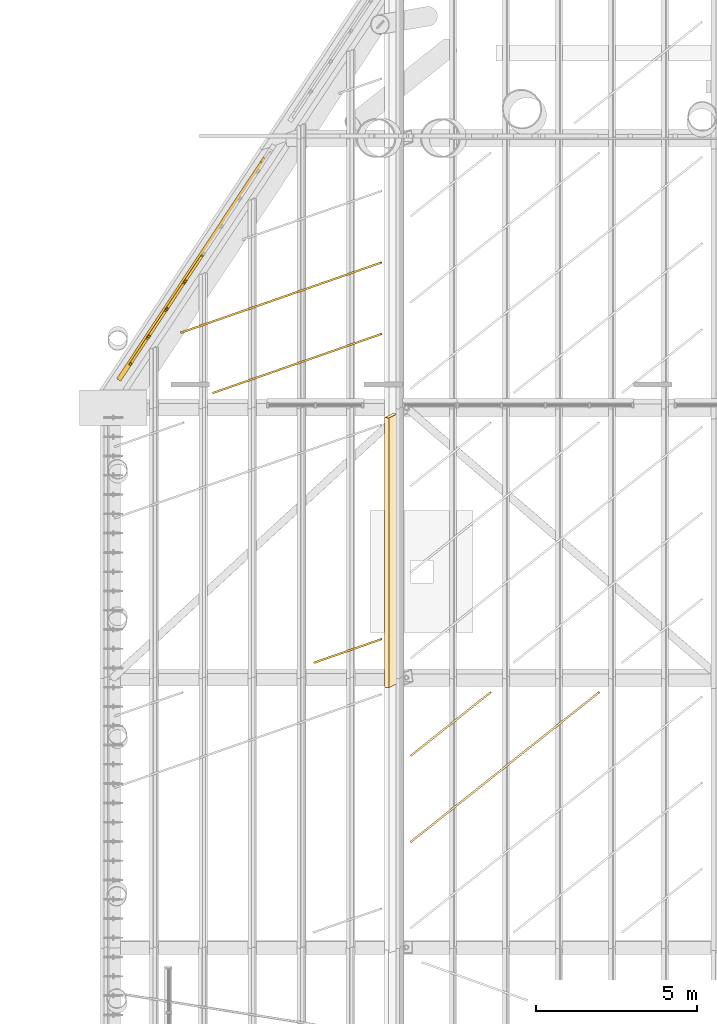
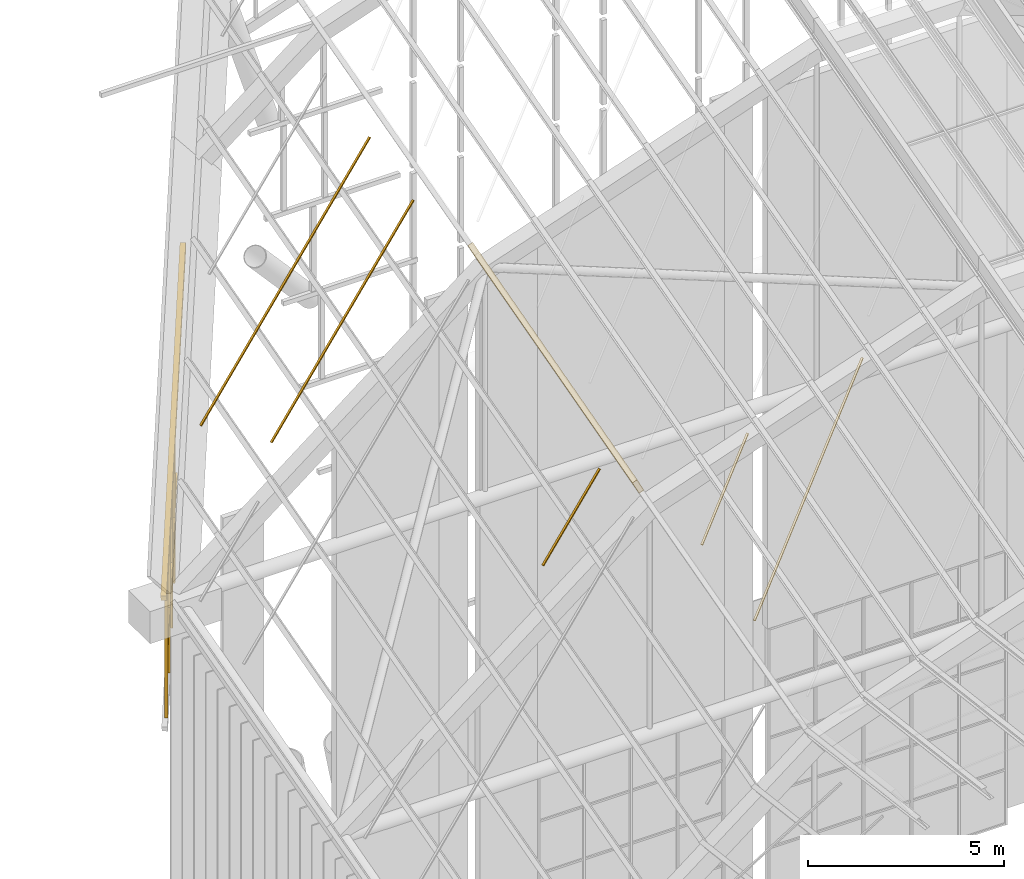
# One storey, part 110 of 126: 15 coverings.
"""IFC4 building model written with IfcOpenShell, lengths in metres."""

from ifc_helpers import new_model, si_unit, direction, frame, origin, origin_2d, place, context, subcontext, project, spatial, polyline, rectangle, outline, extrude, material, layer, layer_set, material_profile, profile_set, type_object, element, save


model = new_model("IFC4")

# Units and contexts
model_context = context("Model", 3, precision=1e-05, world=origin(), true_north=direction((0.0, 1.0)))
body_context = subcontext(model_context, "Body", "Model", "MODEL_VIEW")
ifc_project = project(units=[si_unit("LENGTHUNIT", "METRE"), si_unit("AREAUNIT", "SQUARE_METRE"), si_unit("VOLUMEUNIT", "CUBIC_METRE"), si_unit("PLANEANGLEUNIT", "RADIAN"), si_unit("MASSUNIT", "GRAM", prefix="KILO")], contexts=[model_context])

# Site, building, storey
site_placement = place(None, origin())
site = spatial("IfcSite", under=ifc_project, at=site_placement, CompositionType="ELEMENT")
building_placement = place(site_placement, origin())
building = spatial("IfcBuilding", under=site, at=building_placement, Name="Sava Quay Ferry Terminal", CompositionType="ELEMENT")
storey_placement = place(building_placement, frame((0.0, 0.0, 15.0)))
storey = spatial("IfcBuildingStorey", under=building, at=storey_placement, Name="L03", CompositionType="ELEMENT", Elevation=15.0)

# Coverings
ifc_material_1 = material(Name="Steel S355", Category="steel")
ifc_material_profile_1 = material_profile(ifc_material_1, rectangle(XDim=0.14990234375, YDim=0.60009765625, at=origin_2d()), Name="Cap 150 x 600")
ifc_profile_set_1 = profile_set([ifc_material_profile_1], Name="Steel S355")
covering_type_1 = type_object("IfcCoveringType", Name="Crease capping 150x600", PredefinedType="MOLDING", material=ifc_profile_set_1)
covering_1_placement = place(storey_placement, frame((50.6572265625, 92.162353515625, 21.3291015625), z_axis=(0.0, 0.964560390264, 0.263862186629), x_axis=(-0.885499005285, 0.122601262026, -0.448174566646)))
element("IfcCovering", 1, at=covering_1_placement, inside=storey, type_object=covering_type_1, Name="Departure hall crease capping bay 6 crease 1", PredefinedType="MOLDING", context=body_context, shape_type="SweptSolid", body=[
    extrude(rectangle(XDim=0.14990234375, YDim=0.60009765625, at=origin_2d()), origin(), (0.0, 0.0, 1.0), 8.70849609375),
])
ifc_material_2 = material(Name="Zinc standing seam sheet")
ifc_material_profile_2 = material_profile(ifc_material_2, rectangle(XDim=0.300048828125, YDim=0.14990234375, at=origin_2d()), Name="Strip 300 x 150")
ifc_profile_set_2 = profile_set([ifc_material_profile_2], Name="Zinc standing seam sheet")
covering_type_2 = type_object("IfcCoveringType", Name="Prow apron batten band 300 x 150", PredefinedType="CLADDING", material=ifc_profile_set_2)
covering_2_placement = place(storey_placement, frame((46.683837890625, 108.495849609375, 20.341796875), z_axis=(-0.460666923678, -0.696308419642, -0.550400372606), x_axis=(-0.303690248187, -0.459034642833, 0.834900850302)))
element("IfcCovering", 2, at=covering_2_placement, inside=storey, type_object=covering_type_2, Name="Prow apron batten band", PredefinedType="CLADDING", context=body_context, shape_type="SweptSolid", body=[
    extrude(rectangle(XDim=0.300048828125, YDim=0.14990234375, at=origin_2d()), origin(), (0.0, 0.0, 1.0), 9.704833984375),
])
ifc_material_3 = material(Name="Zinc standing seam sheet")
ifc_material_profile_3 = material_profile(ifc_material_3, rectangle(XDim=0.080078125, YDim=0.080078125, at=origin_2d()), Name="Strip 80 x 80")
ifc_profile_set_3 = profile_set([ifc_material_profile_3], Name="Zinc standing seam sheet")
covering_type_3 = type_object("IfcCoveringType", Name="Prow apron seam rib 80 x 80", PredefinedType="CLADDING", material=ifc_profile_set_3)
for number, where, z_axis, x_axis, name in (
    (3, (44.240234375, 104.73876953125, 12.966064453125), (0.0, 0.0, 1.0), (0.55177120658, 0.833995524922, 0.0), "Prow apron seam rib"),
    (4, (43.671630859375, 103.87939453125, 12.286865234375), (0.0, 0.0, 1.0), (0.55177120658, 0.833995524922, 0.0), "Prow apron seam rib"),
):
    element("IfcCovering", number, at=place(storey_placement, frame(where, z_axis=z_axis, x_axis=x_axis)), inside=storey, type_object=covering_type_3, Name=name, PredefinedType="CLADDING", context=body_context, shape_type="SweptSolid", body=[
        extrude(rectangle(XDim=0.080078125, YDim=0.080078125, at=origin_2d()), origin(), (0.0, 0.0, 1.0), 4.201416015625),
    ])
for number, where, z_axis, x_axis, name in (
    (5, (43.103271484375, 103.020263671875, 11.60791015625), (0.0, 0.0, 1.0), (0.55177120658, 0.833995524922, 0.0), "Prow apron seam rib"),
    (6, (42.534912109375, 102.1611328125, 10.9287109375), (0.0, 0.0, 1.0), (0.55177120658, 0.833995524922, 0.0), "Prow apron seam rib"),
):
    element("IfcCovering", number, at=place(storey_placement, frame(where, z_axis=z_axis, x_axis=x_axis)), inside=storey, type_object=covering_type_3, Name=name, PredefinedType="CLADDING", context=body_context, shape_type="SweptSolid", body=[
        extrude(rectangle(XDim=0.080078125, YDim=0.080078125, at=origin_2d()), origin(), (0.0, 0.0, 1.0), 4.201171875),
    ])
for number, where, z_axis, x_axis, name in (
    (7, (44.77001953125, 105.53955078125, 15.69970703125), (-0.460675627767, -0.696279614333, -0.550429527411), (-0.303719065203, -0.459050535429, 0.834881629546), "Prow apron cross seam"),
    (8, (44.201416015625, 104.680419921875, 15.0205078125), (-0.460733684952, -0.696367363786, -0.550269903051), (-0.303630986787, -0.458917410943, 0.834986846481), "Prow apron cross seam"),
    (9, (43.633056640625, 103.821044921875, 14.341552734375), (-0.460675627767, -0.696279614333, -0.550429527411), (-0.303719065203, -0.459050535429, 0.834881629546), "Prow apron cross seam"),
    (10, (43.064697265625, 102.9619140625, 13.662353515625), (-0.460675627767, -0.696279614333, -0.550429527411), (-0.303719065203, -0.459050535429, 0.834881629546), "Prow apron cross seam"),
):
    element("IfcCovering", number, at=place(storey_placement, frame(where, z_axis=z_axis, x_axis=x_axis)), inside=storey, type_object=covering_type_3, Name=name, PredefinedType="CLADDING", context=body_context, shape_type="SweptSolid", body=[
        extrude(rectangle(XDim=0.080078125, YDim=0.080078125, at=origin_2d()), origin(), (0.0, 0.0, 1.0), 1.066162109375),
    ])
ifc_material_4 = material(Name="Zinc standing seam")
ifc_layer = layer(ifc_material_4, 0.0400390625)
ifc_layer_set = layer_set([ifc_layer], Name="Zinc standing seam")
covering_type_4 = type_object("IfcCoveringType", Name="Roof seam rib 60", PredefinedType="ROOFING", material=ifc_layer_set)
covering_3_placement = place(storey_placement, frame((51.236572265625, 87.30224609375, 19.92138671875), z_axis=(-0.315242788241, -0.250388152119, 0.915383940071), x_axis=(0.716711220841, 0.569431985846, 0.402581966083)))
element("IfcCovering", 11, at=covering_3_placement, inside=storey, type_object=covering_type_4, Name="Roof seam rib", PredefinedType="ROOFING", context=body_context, shape_type="SweptSolid", body=[
    extrude(outline(polyline([(0.0, 0.0), (8.185599972847488, 5.637851296924623e-16), (8.185679532297232, -0.059937825652864755), (-9.541887565669635e-05, -0.05978595781854602), (0.0, 0.0)])), origin(), (0.0, 0.0, -1.0), 0.0400390625),
])
covering_4_placement = place(storey_placement, frame((51.236572265625, 89.984375, 20.6552734375), z_axis=(-0.314843198752, -0.250890674005, 0.915383870241), x_axis=(0.716696186836, 0.569451034666, 0.402581786589)))
element("IfcCovering", 12, at=covering_4_placement, inside=storey, type_object=covering_type_4, Name="Roof seam rib", PredefinedType="ROOFING", context=body_context, shape_type="SweptSolid", body=[
    extrude(outline(polyline([(0.0, 0.0), (3.4753175791114583, -6.158268339717665e-17), (3.475570658729844, -0.06008976138091777), (-9.686969159284839e-05, -0.05978591845718493), (0.0, 0.0)])), origin(), (0.0, 0.0, -1.0), 0.0400390625),
])
covering_5_placement = place(storey_placement, frame((48.22998046875, 92.88818359375, 19.3017578125), z_axis=(-0.601318572307, -0.212153522264, 0.770329057994), x_axis=(0.727044089223, 0.254588073639, 0.637645516793)))
element("IfcCovering", 13, at=covering_5_placement, inside=storey, type_object=covering_type_4, Name="Roof seam rib", PredefinedType="ROOFING", context=body_context, shape_type="SweptSolid", body=[
    extrude(outline(polyline([(0.0, 0.0), (2.885459469440384, -8.196568423990414e-17), (2.885479177989313, -0.05976306340694246), (0.00019720954727503633, -0.05984397047073299), (0.0, 0.0)])), origin(), (0.0, 0.0, -1.0), 0.0400390625),
])
covering_6_placement = place(storey_placement, frame((45.0830078125, 101.288330078125, 19.140869140625), z_axis=(-0.602037223827, -0.210194030733, 0.770304907534), x_axis=(0.727017162494, 0.254589680838, 0.637675575705)))
element("IfcCovering", 14, at=covering_6_placement, inside=storey, type_object=covering_type_4, Name="Roof seam rib", PredefinedType="ROOFING", context=body_context, shape_type="SweptSolid", body=[
    extrude(outline(polyline([(0.0, 0.0), (7.214235533154658, -1.218643241873707e-16), (7.214192462892842, -0.05999353814965848), (-4.3070261815840796e-05, -0.05999353814965833), (0.0, 0.0)])), origin(), (0.0, 0.0, -1.0), 0.0400390625),
])
covering_7_placement = place(storey_placement, frame((44.08740234375, 103.164794921875, 18.87646484375), z_axis=(-0.601629679154, -0.211348357117, 0.770307471796), x_axis=(0.727028924864, 0.25456393436, 0.637672443919)))
element("IfcCovering", 15, at=covering_7_placement, inside=storey, type_object=covering_type_4, Name="Roof seam rib", PredefinedType="ROOFING", context=body_context, shape_type="SweptSolid", body=[
    extrude(outline(polyline([(0.0, 0.0), (8.58347462919964, 4.128641872824801e-16), (8.583433249839887, -0.05999349438824145), (0.0001361179363557584, -0.06007427161580252), (0.0, 0.0)])), origin(), (0.0, 0.0, -1.0), 0.0400390625),
])

save(model, "model.ifc")
